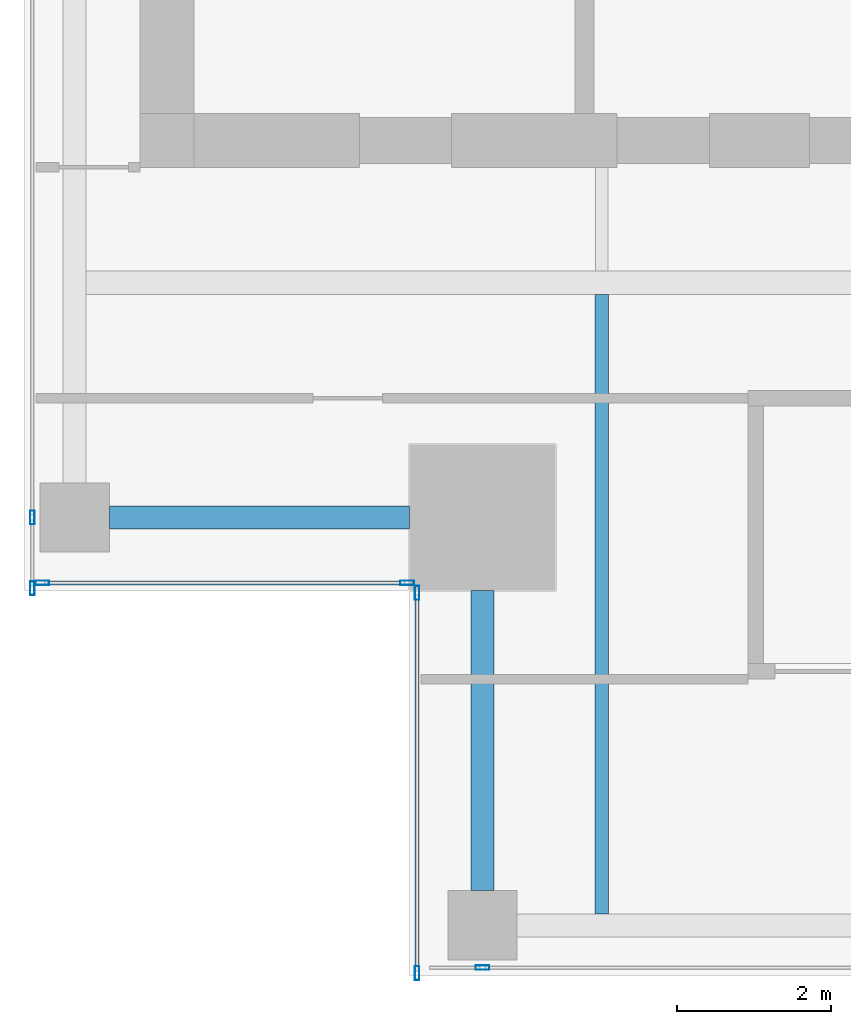
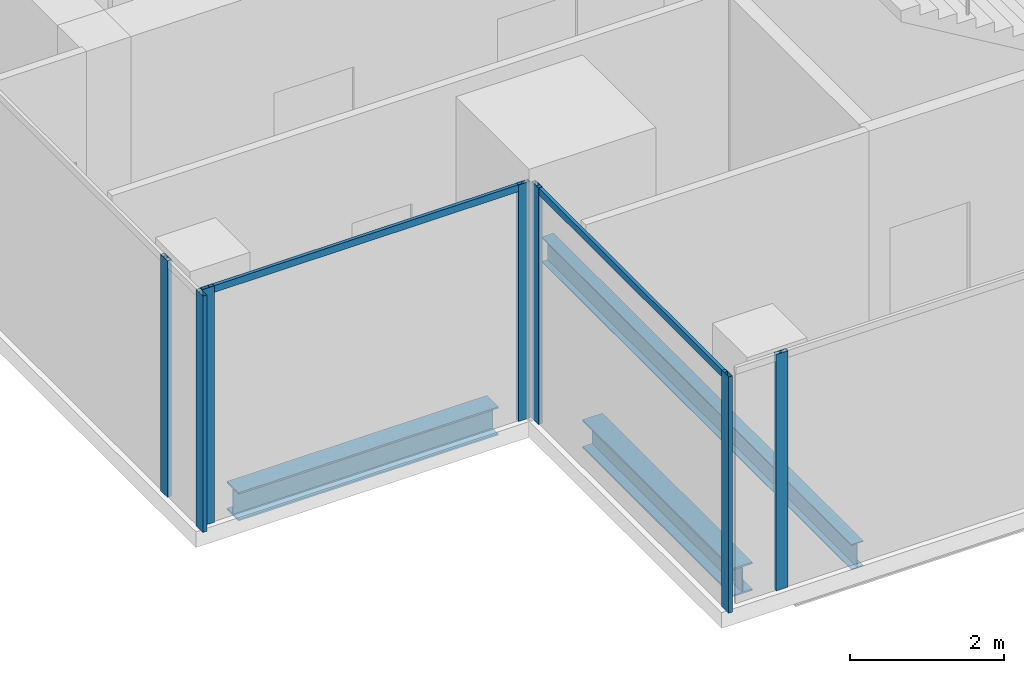
# One storey, part 2 of 35: 9 members, 3 beams, 4 elements without a shape of their own.
"""IFC4 building model written with IfcOpenShell, lengths in metres."""

from ifc_helpers import new_model, si_unit, direction, frame, origin, origin_2d, place, context, subcontext, project, spatial, hollow_rectangle, i_section, extrude, source, transform, mapped, material, material_profile, profile_set, type_object, element, aggregate, save


model = new_model("IFC4")

# Units and contexts
model_context = context("Model", 3, precision=1e-05, world=origin(), true_north=direction((0.0, 1.0)))
body_context = subcontext(model_context, "Body", "Model", "MODEL_VIEW")
ifc_project = project(units=[si_unit("LENGTHUNIT", "METRE"), si_unit("AREAUNIT", "SQUARE_METRE"), si_unit("VOLUMEUNIT", "CUBIC_METRE"), si_unit("PLANEANGLEUNIT", "RADIAN"), si_unit("MASSUNIT", "GRAM", prefix="KILO")], contexts=[model_context])

# Site, building, storey
site_placement = place(None, origin())
site = spatial("IfcSite", under=ifc_project, at=site_placement, CompositionType="ELEMENT")
building_placement = place(site_placement, origin())
building = spatial("IfcBuilding", under=site, at=building_placement, Name="Khomas Fold Tower", CompositionType="ELEMENT")
storey_placement = place(building_placement, frame((0.0, 0.0, 262.199951171875)))
storey = spatial("IfcBuildingStorey", under=building, at=storey_placement, Name="L59", CompositionType="ELEMENT", Elevation=262.199951171875)

# Beams
ifc_material_1 = material(Name="Steel S355", Category="steel")
ifc_material_profile_1 = material_profile(ifc_material_1, i_section(OverallWidth=0.300048828125, OverallDepth=0.449951171875, WebThickness=0.013916015625, FlangeThickness=0.02587890625, at=origin_2d()), Name="HE 450 B")
ifc_profile_set_1 = profile_set([ifc_material_profile_1], Name="Steel S355")
beam_type_1 = type_object("IfcBeamType", Name="HE 450 B spandrel SB4", PredefinedType="SPANDREL", material=ifc_profile_set_1)
shared_shape_1 = source(origin(), body_context, "Body", "SweptSolid", [
    extrude(i_section(OverallWidth=0.300048828125, OverallDepth=0.449951171875, WebThickness=0.013916015625, FlangeThickness=0.02587890625, at=origin_2d()), origin(), (0.0, 0.0, 1.0), 3.89990234375),
])
for number, where, z_axis, x_axis, name in (
    (1, (5.60009765625, 10.449951171875, -0.474853515625), (1.0, 0.0, 0.0), (0.0, 1.0, 0.0), "SB4"),
    (2, (10.449951171875, 5.60009765625, -0.474853515625), (0.0, 1.0, 0.0), (-1.0, 0.0, 0.0), "SB4"),
):
    element("IfcBeam", number, at=place(storey_placement, frame(where, z_axis=z_axis, x_axis=x_axis)), inside=storey, type_object=beam_type_1, Name=name, PredefinedType="SPANDREL", context=body_context, shape_type="MappedRepresentation", body=[
        mapped(shared_shape_1, transform((0.0, 0.0, 0.0))),
    ])
ifc_material_2 = material(Name="Steel S355", Category="steel")
ifc_material_profile_2 = material_profile(ifc_material_2, i_section(OverallWidth=0.179931640625, OverallDepth=0.39990234375, WebThickness=0.008544921875, FlangeThickness=0.013427734375, at=origin_2d()), Name="IPE 400")
ifc_profile_set_2 = profile_set([ifc_material_profile_2], Name="Steel S355")
beam_type_2 = type_object("IfcBeamType", Name="IPE 400 beam JB3", PredefinedType="BEAM", material=ifc_profile_set_2)
shared_shape_2 = source(origin(), body_context, "Body", "SweptSolid", [
    extrude(i_section(OverallWidth=0.179931640625, OverallDepth=0.39990234375, WebThickness=0.008544921875, FlangeThickness=0.013427734375, at=origin_2d()), origin(), (0.0, 0.0, 1.0), 8.050048828125),
])
beam_placement = place(storey_placement, frame((12.0, 5.300048828125, -0.449951171875), z_axis=(0.0, 1.0, 0.0), x_axis=(-1.0, 0.0, 0.0)))
element("IfcBeam", 3, at=beam_placement, inside=storey, type_object=beam_type_2, Name="JB3", PredefinedType="BEAM", context=body_context, shape_type="MappedRepresentation", body=[
    mapped(shared_shape_2, transform((0.0, 0.0, 0.0))),
])

# Curtain wall, member
ifc_material_3 = material(Name="Aluminium framed double glazing", Category="aluminium")
curtain_wall_type = type_object("IfcCurtainWallType", Name="SK-Unitised clear-glass wall, office floors CW2", PredefinedType="NOTDEFINED", material=ifc_material_3)
curtain_wall_1_placement = place(storey_placement, origin())
curtain_wall_1 = element("IfcCurtainWall", 4, at=curtain_wall_1_placement, inside=storey, type_object=curtain_wall_type, Name="CW2 run L59 00-0", PredefinedType="NOTDEFINED")
ifc_material_4 = material(Name="Aluminium", Category="aluminium")
ifc_material_profile_3 = material_profile(ifc_material_4, hollow_rectangle(XDim=0.06005859375, YDim=0.179931640625, WallThickness=0.00390625, at=origin_2d()), Name="SK-Unitised clear-glass wall, office floors mullion CW2-M")
ifc_profile_set_3 = profile_set([ifc_material_profile_3], Name="Aluminium")
member_type_1 = type_object("IfcMemberType", Name="SK-Unitised clear-glass wall, office floors mullion CW2-M", PredefinedType="MULLION", material=ifc_profile_set_3)
shared_shape_3 = source(origin(), body_context, "Body", "SweptSolid", [
    extrude(hollow_rectangle(XDim=0.06005859375, YDim=0.179931640625, WallThickness=0.00390625, at=origin_2d()), origin(), (0.0, 0.0, 1.0), 3.75),
])
member_1_placement = place(storey_placement, frame((10.449951171875, 4.60009765625, 0.0), z_axis=(0.0, 0.0, 1.0), x_axis=(0.0, 1.0, 0.0)))
member_1 = element("IfcMember", 5, at=member_1_placement, type_object=member_type_1, Name="CW2 mullion 2", PredefinedType="MULLION", context=body_context, shape_type="MappedRepresentation", body=[
    mapped(shared_shape_3, transform((0.0, 0.0, 0.0))),
])
aggregate(curtain_wall_1, [member_1])

# Curtain wall, members
curtain_wall_2_placement = place(storey_placement, origin())
curtain_wall_2 = element("IfcCurtainWall", 6, at=curtain_wall_2_placement, inside=storey, type_object=curtain_wall_type, Name="CW2 run L59 09-0", PredefinedType="NOTDEFINED")
member_2_placement = place(storey_placement, frame((4.60009765625, 10.449951171875, 0.0), z_axis=(0.0, 0.0, 1.0), x_axis=(1.0, 0.0, 0.0)))
member_2 = element("IfcMember", 7, at=member_2_placement, type_object=member_type_1, Name="CW2 mullion 6", PredefinedType="MULLION", context=body_context, shape_type="MappedRepresentation", body=[
    mapped(shared_shape_3, transform((0.0, 0.0, 0.0))),
])
member_3_placement = place(storey_placement, frame((4.60009765625, 9.530029296875, 0.0), z_axis=(0.0, 0.0, 1.0), x_axis=(1.0, 0.0, 0.0)))
member_3 = element("IfcMember", 8, at=member_3_placement, type_object=member_type_1, Name="CW2 mullion 7", PredefinedType="MULLION", context=body_context, shape_type="MappedRepresentation", body=[
    mapped(shared_shape_3, transform((0.0, 0.0, 0.0))),
])
aggregate(curtain_wall_2, [member_2, member_3])

curtain_wall_3_placement = place(storey_placement, origin())
curtain_wall_3 = element("IfcCurtainWall", 9, at=curtain_wall_3_placement, inside=storey, type_object=curtain_wall_type, Name="CW2 corner return L59 10", PredefinedType="NOTDEFINED")
member_4_placement = place(storey_placement, frame((4.72998046875, 9.60009765625, 0.0), z_axis=(0.0, 0.0, 1.0), x_axis=(0.0, 1.0, 0.0)))
member_4 = element("IfcMember", 10, at=member_4_placement, type_object=member_type_1, Name="CW2 mullion 1", PredefinedType="MULLION", context=body_context, shape_type="MappedRepresentation", body=[
    mapped(shared_shape_3, transform((0.0, 0.0, 0.0))),
])
member_5_placement = place(storey_placement, frame((9.469970703125, 9.60009765625, 0.0), z_axis=(0.0, 0.0, 1.0), x_axis=(0.0, 1.0, 0.0)))
member_5 = element("IfcMember", 11, at=member_5_placement, type_object=member_type_1, Name="CW2 mullion 2", PredefinedType="MULLION", context=body_context, shape_type="MappedRepresentation", body=[
    mapped(shared_shape_3, transform((0.0, 0.0, 0.0))),
])

curtain_wall_4_placement = place(storey_placement, origin())
curtain_wall_4 = element("IfcCurtainWall", 12, at=curtain_wall_4_placement, inside=storey, type_object=curtain_wall_type, Name="CW2 corner return L59 11", PredefinedType="NOTDEFINED")
member_6_placement = place(storey_placement, frame((9.60009765625, 9.469970703125, 0.0), z_axis=(0.0, 0.0, 1.0), x_axis=(1.0, 0.0, 0.0)))
member_6 = element("IfcMember", 13, at=member_6_placement, type_object=member_type_1, Name="CW2 mullion 1", PredefinedType="MULLION", context=body_context, shape_type="MappedRepresentation", body=[
    mapped(shared_shape_3, transform((0.0, 0.0, 0.0))),
])
member_7_placement = place(storey_placement, frame((9.60009765625, 4.530029296875, 0.0), z_axis=(0.0, 0.0, 1.0), x_axis=(1.0, 0.0, 0.0)))
member_7 = element("IfcMember", 14, at=member_7_placement, type_object=member_type_1, Name="CW2 mullion 2", PredefinedType="MULLION", context=body_context, shape_type="MappedRepresentation", body=[
    mapped(shared_shape_3, transform((0.0, 0.0, 0.0))),
])

# Member
ifc_material_5 = material(Name="Aluminium", Category="aluminium")
ifc_material_profile_4 = material_profile(ifc_material_5, hollow_rectangle(XDim=0.050048828125, YDim=0.110107421875, WallThickness=0.00390625, at=origin_2d()), Name="SK-Unitised clear-glass wall, office floors transom CW2-T")
ifc_profile_set_4 = profile_set([ifc_material_profile_4], Name="Aluminium")
member_type_2 = type_object("IfcMemberType", Name="SK-Unitised clear-glass wall, office floors transom CW2-T", PredefinedType="USERDEFINED", material=ifc_profile_set_4)
shared_shape_4 = source(origin(), body_context, "Body", "SweptSolid", [
    extrude(hollow_rectangle(XDim=0.050048828125, YDim=0.110107421875, WallThickness=0.00390625, at=origin_2d()), origin(), (0.0, 0.0, 1.0), 4.679931640625),
])
member_8_placement = place(storey_placement, frame((4.760009765625, 9.60009765625, 3.695068359375), z_axis=(1.0, 0.0, 0.0), x_axis=(0.0, 1.0, 0.0)))
member_8 = element("IfcMember", 15, at=member_8_placement, type_object=member_type_2, Name="CW2 transom 1", ObjectType="TRANSOM", PredefinedType="USERDEFINED", context=body_context, shape_type="MappedRepresentation", body=[
    mapped(shared_shape_4, transform((0.0, 0.0, 0.0))),
])

aggregate(curtain_wall_3, [member_4, member_5, member_8])

shared_shape_5 = source(origin(), body_context, "Body", "SweptSolid", [
    extrude(hollow_rectangle(XDim=0.050048828125, YDim=0.110107421875, WallThickness=0.00390625, at=origin_2d()), origin(), (0.0, 0.0, 1.0), 4.8798828125),
])
member_9_placement = place(storey_placement, frame((9.60009765625, 9.43994140625, 3.695068359375), z_axis=(0.0, -1.0, 0.0), x_axis=(1.0, 0.0, 0.0)))
member_9 = element("IfcMember", 16, at=member_9_placement, type_object=member_type_2, Name="CW2 transom 1", ObjectType="TRANSOM", PredefinedType="USERDEFINED", context=body_context, shape_type="MappedRepresentation", body=[
    mapped(shared_shape_5, transform((0.0, 0.0, 0.0))),
])

aggregate(curtain_wall_4, [member_6, member_7, member_9])

save(model, "model.ifc")
